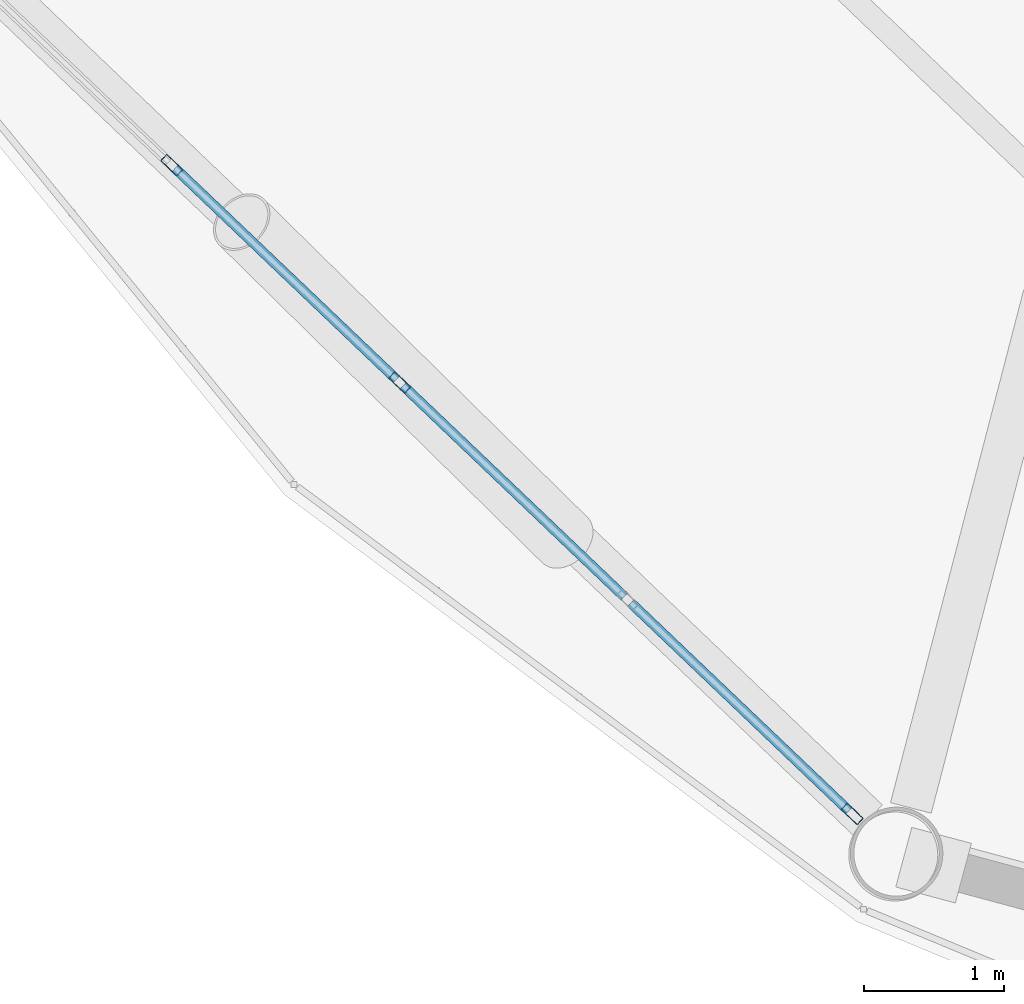
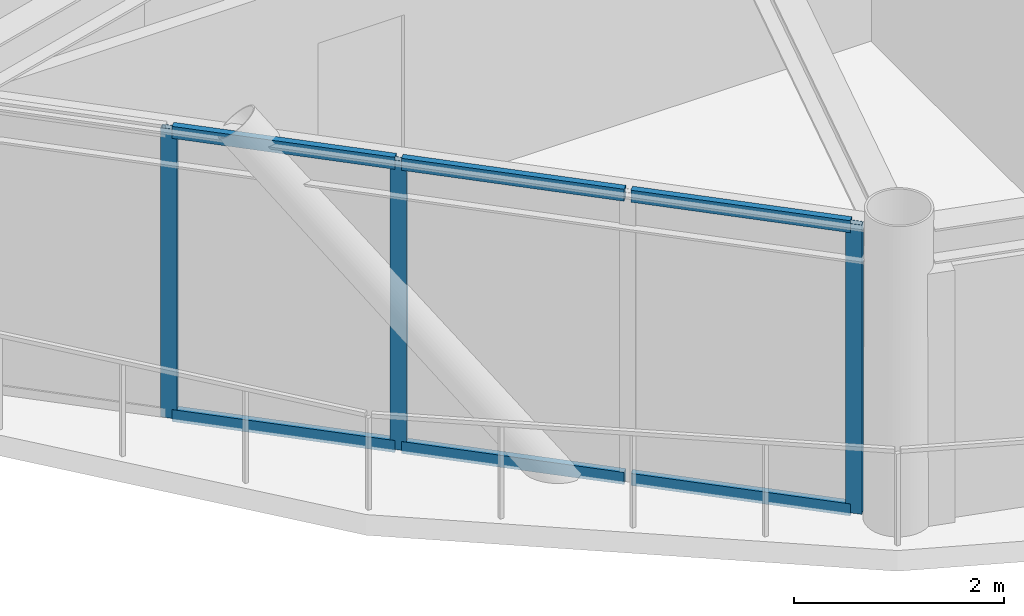
# One storey, part 2 of 28: 9 members, 1 element without a shape of its own.
"""IFC4 building model written with IfcOpenShell, lengths in metres."""

from ifc_helpers import new_model, si_unit, direction, frame, origin, origin_2d, place, context, subcontext, project, spatial, hollow_rectangle, extrude, material, layer, layer_set, material_profile, profile_set, type_object, element, aggregate, save


model = new_model("IFC4")

# Units and contexts
model_context = context("Model", 3, precision=1e-05, world=origin(), true_north=direction((0.0, 1.0)))
body_context = subcontext(model_context, "Body", "Model", "MODEL_VIEW")
ifc_project = project(units=[si_unit("LENGTHUNIT", "METRE"), si_unit("AREAUNIT", "SQUARE_METRE"), si_unit("VOLUMEUNIT", "CUBIC_METRE"), si_unit("PLANEANGLEUNIT", "RADIAN"), si_unit("MASSUNIT", "GRAM", prefix="KILO")], contexts=[model_context])

# Site, building, storey
site_placement = place(None, origin())
site = spatial("IfcSite", under=ifc_project, at=site_placement, CompositionType="ELEMENT")
building_placement = place(site_placement, origin())
building = spatial("IfcBuilding", under=site, at=building_placement, Name="Varnakorn Sky Granary", CompositionType="ELEMENT")
storey_placement = place(building_placement, frame((0.0, 0.0, 196.800048828125)))
storey = spatial("IfcBuildingStorey", under=building, at=storey_placement, Name="L49", CompositionType="ELEMENT", Elevation=196.800048828125)

# Curtain wall, members
ifc_material = material(Name="Anodised Bronze Aluminium Alloy 6063-T6", Category="aluminium")
ifc_layer = layer(ifc_material, 0.169921875, Name="Anodised Bronze Aluminium Alloy 6063-T6")
ifc_layer_set = layer_set([ifc_layer], Name="Anodised Bronze Aluminium Alloy 6063-T6")
curtain_wall_type = type_object("IfcCurtainWallType", Name="CW-LAB-1", PredefinedType="USERDEFINED", material=ifc_layer_set)
curtain_wall_placement = place(storey_placement, origin())
curtain_wall = element("IfcCurtainWall", 1, at=curtain_wall_placement, inside=storey, type_object=curtain_wall_type, Name="Unitised Curtain Wall CW5 CW-L49-B08", ObjectType="CURTAIN WALL", PredefinedType="USERDEFINED")
ifc_material_profile_1 = material_profile(ifc_material, hollow_rectangle(XDim=0.06494140625, YDim=0.159912109375, WallThickness=0.00341796875, at=origin_2d()), Name="ALU MULL 65x160")
ifc_profile_set_1 = profile_set([ifc_material_profile_1], Name="Anodised Bronze Aluminium Alloy 6063-T6")
member_type_1 = type_object("IfcMemberType", Name="CW-LAB-1-MULL", PredefinedType="MULLION", material=ifc_profile_set_1)
member_1_placement = place(storey_placement, frame((-5.110107421875, -15.65380859375, 0.0), z_axis=(0.0, 0.0, 1.0), x_axis=(-0.690097158605, -0.723716734424, 0.0)))
member_1 = element("IfcMember", 2, at=member_1_placement, type_object=member_type_1, Name="CW5 mullion 1", PredefinedType="MULLION", context=body_context, shape_type="SweptSolid", body=[
    extrude(hollow_rectangle(XDim=0.06494140625, YDim=0.159912109375, WallThickness=0.00341796875, at=origin_2d()), origin(), (0.0, 0.0, 1.0), 3.35986328125),
])
member_2_placement = place(storey_placement, frame((-8.33837890625, -12.57568359375, 0.0), z_axis=(0.0, 0.0, 1.0), x_axis=(-0.690097158605, -0.723716734424, 0.0)))
member_2 = element("IfcMember", 3, at=member_2_placement, type_object=member_type_1, Name="CW5 mullion 3", PredefinedType="MULLION", context=body_context, shape_type="SweptSolid", body=[
    extrude(hollow_rectangle(XDim=0.06494140625, YDim=0.159912109375, WallThickness=0.00341796875, at=origin_2d()), origin(), (0.0, 0.0, 1.0), 3.35986328125),
])
member_3_placement = place(storey_placement, frame((-9.964111328125, -11.025390625, 0.0), z_axis=(0.0, 0.0, 1.0), x_axis=(-0.690097158605, -0.723716734424, 0.0)))
member_3 = element("IfcMember", 4, at=member_3_placement, type_object=member_type_1, Name="CW5 mullion 4", PredefinedType="MULLION", context=body_context, shape_type="SweptSolid", body=[
    extrude(hollow_rectangle(XDim=0.06494140625, YDim=0.159912109375, WallThickness=0.00341796875, at=origin_2d()), origin(), (0.0, 0.0, 1.0), 3.35986328125),
])
ifc_material_profile_2 = material_profile(ifc_material, hollow_rectangle(XDim=0.070068359375, YDim=0.139892578125, WallThickness=0.00341796875, at=origin_2d()), Name="ALU TRAN 70x140")
ifc_profile_set_2 = profile_set([ifc_material_profile_2], Name="Anodised Bronze Aluminium Alloy 6063-T6")
member_type_2 = type_object("IfcMemberType", Name="CW-LAB-1-TRAN", PredefinedType="USERDEFINED", material=ifc_profile_set_2)
member_4_placement = place(storey_placement, frame((-5.1337890625, -15.63134765625, 0.034912109375), z_axis=(-0.723721709612, 0.690091941002, 0.0), x_axis=(-0.690091941002, -0.723721709612, 0.0)))
member_4 = element("IfcMember", 5, at=member_4_placement, type_object=member_type_2, Name="CW5 transom 1.1", ObjectType="TRANSOM", PredefinedType="USERDEFINED", context=body_context, shape_type="SweptSolid", body=[
    extrude(hollow_rectangle(XDim=0.070068359375, YDim=0.139892578125, WallThickness=0.00341796875, at=origin_2d()), origin(), (0.0, 0.0, 1.0), 2.14892578125),
])
member_5_placement = place(storey_placement, frame((-5.1337890625, -15.63134765625, 3.324951171875), z_axis=(-0.723721709612, 0.690091941002, 0.0), x_axis=(-0.690091941002, -0.723721709612, 0.0)))
member_5 = element("IfcMember", 6, at=member_5_placement, type_object=member_type_2, Name="CW5 transom 1.2", ObjectType="TRANSOM", PredefinedType="USERDEFINED", context=body_context, shape_type="SweptSolid", body=[
    extrude(hollow_rectangle(XDim=0.070068359375, YDim=0.139892578125, WallThickness=0.00341796875, at=origin_2d()), origin(), (0.0, 0.0, 1.0), 2.14892578125),
])
member_6_placement = place(storey_placement, frame((-6.736083984375, -14.103515625, 0.034912109375), z_axis=(-0.72369594497, 0.690118960205, 0.0), x_axis=(-0.690118960205, -0.72369594497, 0.0)))
member_6 = element("IfcMember", 7, at=member_6_placement, type_object=member_type_2, Name="CW5 transom 2.1", ObjectType="TRANSOM", PredefinedType="USERDEFINED", context=body_context, shape_type="SweptSolid", body=[
    extrude(hollow_rectangle(XDim=0.070068359375, YDim=0.139892578125, WallThickness=0.00341796875, at=origin_2d()), origin(), (0.0, 0.0, 1.0), 2.181396484375),
])
member_7_placement = place(storey_placement, frame((-6.736083984375, -14.103515625, 3.324951171875), z_axis=(-0.72369594497, 0.690118960205, 0.0), x_axis=(-0.690118960205, -0.72369594497, 0.0)))
member_7 = element("IfcMember", 8, at=member_7_placement, type_object=member_type_2, Name="CW5 transom 2.2", ObjectType="TRANSOM", PredefinedType="USERDEFINED", context=body_context, shape_type="SweptSolid", body=[
    extrude(hollow_rectangle(XDim=0.070068359375, YDim=0.139892578125, WallThickness=0.00341796875, at=origin_2d()), origin(), (0.0, 0.0, 1.0), 2.181396484375),
])
member_8_placement = place(storey_placement, frame((-8.36181640625, -12.55322265625, 0.034912109375), z_axis=(-0.723749243544, 0.690063064125, 0.0), x_axis=(-0.690063064125, -0.723749243544, 0.0)))
member_8 = element("IfcMember", 9, at=member_8_placement, type_object=member_type_2, Name="CW5 transom 3.1", ObjectType="TRANSOM", PredefinedType="USERDEFINED", context=body_context, shape_type="SweptSolid", body=[
    extrude(hollow_rectangle(XDim=0.070068359375, YDim=0.139892578125, WallThickness=0.00341796875, at=origin_2d()), origin(), (0.0, 0.0, 1.0), 2.181396484375),
])
member_9_placement = place(storey_placement, frame((-8.36181640625, -12.55322265625, 3.324951171875), z_axis=(-0.723749243544, 0.690063064125, 0.0), x_axis=(-0.690063064125, -0.723749243544, 0.0)))
member_9 = element("IfcMember", 10, at=member_9_placement, type_object=member_type_2, Name="CW5 transom 3.2", ObjectType="TRANSOM", PredefinedType="USERDEFINED", context=body_context, shape_type="SweptSolid", body=[
    extrude(hollow_rectangle(XDim=0.070068359375, YDim=0.139892578125, WallThickness=0.00341796875, at=origin_2d()), origin(), (0.0, 0.0, 1.0), 2.181396484375),
])
aggregate(curtain_wall, [member_1, member_2, member_3, member_4, member_5, member_6, member_7, member_8, member_9])

save(model, "model.ifc")
